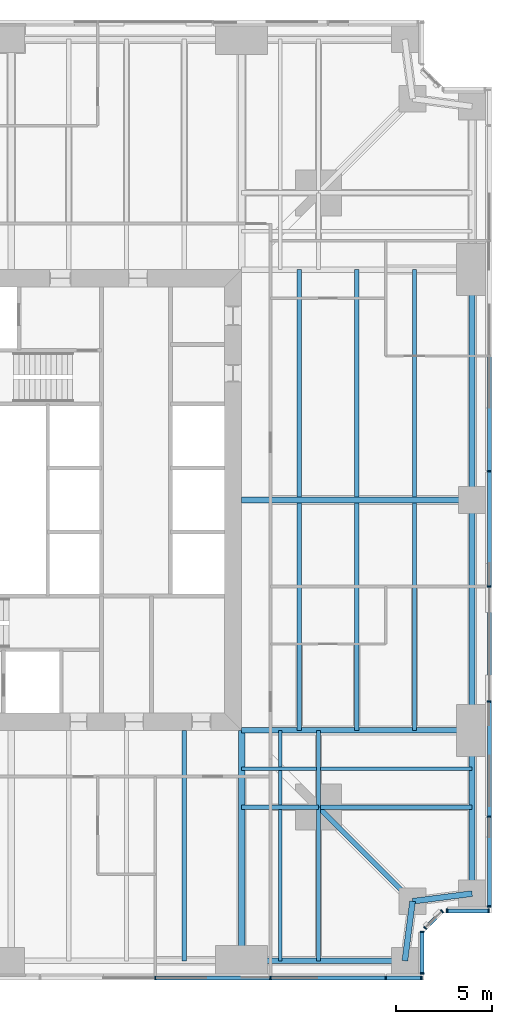
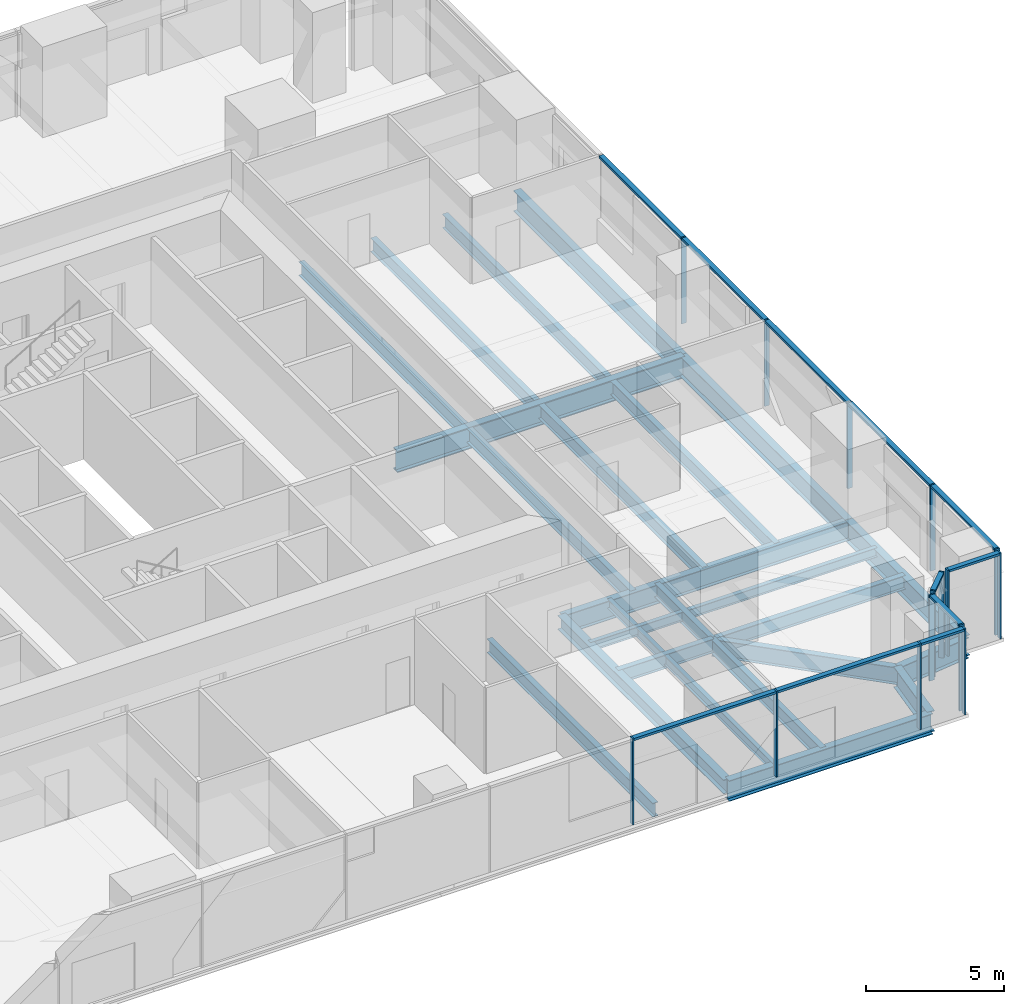
# One storey, part 5 of 14: 26 beams, 26 members, 5 elements without a shape of their own.
"""IFC4 building model written with IfcOpenShell, lengths in metres."""

import ifcopenshell
import ifcopenshell.guid

model = None  # the IFC model being written
_history = None  # IfcOwnerHistory: only IFC2X3 demands one
_inside = {}  # id of a spatial element -> (the spatial element, [elements in it])
_under = {}  # id of a project, library or spatial element -> (it, [spatial elements below it])
_declared = {}  # id of a project -> (the project, [libraries it declares])
_typed = {}  # id of a type object -> (the type object, [elements of that type])
_made_of = {}  # id of a material, layer set ... -> (it, [elements and type objects made of it])


def new_model(schema):
    """Start an empty IFC model of exactly this schema.

    Asked for "IFC4X3", IfcOpenShell would pick the latest addendum, in which some entities
    have other attributes; the version numbers below select the first issue.
    IFC2X3 requires an IfcOwnerHistory on every rooted entity: one is made here for all.
    """
    global model, _history
    if schema == "IFC4X3":
        model = ifcopenshell.file(schema_version=(4, 3, 0, 0))
    else:
        model = ifcopenshell.file(schema=schema)
    _inside.clear()
    _under.clear()
    _declared.clear()
    _typed.clear()
    _made_of.clear()
    _history = None
    if model.schema == "IFC2X3":
        org = make("IfcOrganization", Name="unknown")
        user = make(
            "IfcPersonAndOrganization",
            ThePerson=make("IfcPerson", FamilyName="unknown"),
            TheOrganization=org,
        )
        app = make(
            "IfcApplication",
            ApplicationDeveloper=org,
            Version="unknown",
            ApplicationFullName="unknown",
            ApplicationIdentifier="unknown",
        )
        _history = make(
            "IfcOwnerHistory",
            OwningUser=user,
            OwningApplication=app,
            ChangeAction="ADDED",
            CreationDate=0,
        )
    return model


def make(cls, **values):
    """One entity of the class cls with the attributes given. An attribute that is None is left unset."""
    return model.create_entity(
        cls, **{name: value for name, value in values.items() if value is not None}
    )


def rooted(cls, **values):
    """An entity with a GlobalId (a new one), such as an element, a storey or a relation."""
    return make(cls, GlobalId=ifcopenshell.guid.new(), OwnerHistory=_history, **values)


def si_unit(unit_type, name, prefix=None):
    """IfcSIUnit, for example si_unit("LENGTHUNIT", "METRE", prefix="MILLI")."""
    return make("IfcSIUnit", UnitType=unit_type, Prefix=prefix, Name=name)


def assignment(units):
    """IfcUnitAssignment: the units of a project."""
    return None if units is None else make("IfcUnitAssignment", Units=units)


def point(xyz):
    """IfcCartesianPoint."""
    return None if xyz is None else make("IfcCartesianPoint", Coordinates=xyz)


def direction(xyz):
    """IfcDirection."""
    return None if xyz is None else make("IfcDirection", DirectionRatios=xyz)


def frame(location, z_axis=None, x_axis=None):
    """IfcAxis2Placement3D, a coordinate frame: its origin and axes. An axis left out is left unset."""
    return make(
        "IfcAxis2Placement3D",
        Location=point(location),
        Axis=direction(z_axis),
        RefDirection=direction(x_axis),
    )


def frame_2d(location, x_axis=None):
    """IfcAxis2Placement2D, a coordinate frame in the plane: its origin and x axis."""
    return make(
        "IfcAxis2Placement2D", Location=point(location), RefDirection=direction(x_axis)
    )


def origin():
    """The frame at (0, 0, 0) with its axes left unset."""
    return frame((0.0, 0.0, 0.0))


def origin_2d():
    """The frame at (0, 0) in the plane with its x axis left unset."""
    return frame_2d((0.0, 0.0))


def place(relative_to, where):
    """IfcLocalPlacement: puts the frame where relative to a parent placement (None: the world)."""
    return make(
        "IfcLocalPlacement", PlacementRelTo=relative_to, RelativePlacement=where
    )


def context(
    kind, dimensions, precision=None, world=None, true_north=None, identifier=None
):
    """IfcGeometricRepresentationContext, for example the 3D "Model" context."""
    return make(
        "IfcGeometricRepresentationContext",
        ContextIdentifier=identifier,
        ContextType=kind,
        CoordinateSpaceDimension=dimensions,
        Precision=precision,
        WorldCoordinateSystem=world,
        TrueNorth=true_north,
    )


def subcontext(parent, identifier, kind, view, scale=None):
    """IfcGeometricRepresentationSubContext, for example "Body" below "Model"."""
    return make(
        "IfcGeometricRepresentationSubContext",
        ContextIdentifier=identifier,
        ContextType=kind,
        ParentContext=parent,
        TargetScale=scale,
        TargetView=view,
    )


def project(units=None, contexts=None):
    """IfcProject with its units and contexts."""
    return rooted(
        "IfcProject",
        Name="project",
        RepresentationContexts=contexts,
        UnitsInContext=assignment(units),
    )


def spatial(cls, under=None, at=None, **own):
    """A site, building, storey or space (cls), placed at a placement, below another one or the project."""
    s = rooted(cls, ObjectPlacement=at, **own)
    if under is not None:
        _under.setdefault(under.id(), (under, []))[1].append(s)
    return s


def profile(cls, at=None, kind="AREA", **sizes):
    """A parametric profile (cls). Its sizes go by their IFC names, for example OverallWidth=200.0."""
    return make(cls, ProfileType=kind, Position=at, **sizes)


def rectangle(**sizes):
    """IfcRectangleProfileDef."""
    return profile("IfcRectangleProfileDef", **sizes)


def i_section(**sizes):
    """IfcIShapeProfileDef."""
    return profile("IfcIShapeProfileDef", **sizes)


def extrude(swept, where, along, depth):
    """IfcExtrudedAreaSolid: the profile swept, set in the frame where, extruded along a direction by depth."""
    return make(
        "IfcExtrudedAreaSolid",
        SweptArea=swept,
        Position=where,
        ExtrudedDirection=direction(along),
        Depth=depth,
    )


def shape(context_of_items, identifier, shape_type, items):
    """IfcShapeRepresentation: the items that make up one representation, for example the "Body"."""
    return make(
        "IfcShapeRepresentation",
        ContextOfItems=context_of_items,
        RepresentationIdentifier=identifier,
        RepresentationType=shape_type,
        Items=items,
    )


def material(Name=None, Category=None):
    """IfcMaterial."""
    return make("IfcMaterial", Name=Name, Category=Category)


def material_profile(
    of_material, cross_section, Name=None, Category=None, Priority=None
):
    """IfcMaterialProfile: a cross section and its material."""
    return make(
        "IfcMaterialProfile",
        Name=Name,
        Material=of_material,
        Profile=cross_section,
        Priority=Priority,
        Category=Category,
    )


def profile_set(profiles, Name=None, composite=None):
    """IfcMaterialProfileSet."""
    return make(
        "IfcMaterialProfileSet",
        Name=Name,
        MaterialProfiles=profiles,
        CompositeProfile=composite,
    )


def made_of(thing, what):
    """Note that an element or type object is made of a material, layer set ...; save() writes the relation."""
    if what is not None:
        _made_of.setdefault(what.id(), (what, []))[1].append(thing)
    return thing


def type_object(cls, material=None, **own):
    """A type object (cls), such as IfcWallType, which elements share."""
    return made_of(rooted(cls, **own), material)


def element(
    cls,
    number,
    at=None,
    inside=None,
    cuts=None,
    type_object=None,
    material=None,
    context=None,
    identifier="Body",
    shape_type=None,
    held_by="IfcProductDefinitionShape",
    body=None,
    shapes=None,
    **own,
):
    """One element of the class cls, such as IfcWall. Its Tag is "e" and its number.

    at: its placement. inside: the storey or other place that contains it. cuts: it is an
    opening in that element (IfcRelVoidsElement). A single representation is given by context,
    identifier, shape_type and body (its items); several are given by shapes. held_by: the class
    of the entity that holds the representations. save() writes the other relations.
    """
    e = rooted(cls, Tag="e%d" % number, ObjectPlacement=at, **own)
    if body is not None:
        shapes = [shape(context, identifier, shape_type, body)]
    if shapes is not None:
        e.Representation = make(held_by, Representations=shapes)
    if inside is not None:
        _inside.setdefault(inside.id(), (inside, []))[1].append(e)
    if cuts is not None:
        rooted(
            "IfcRelVoidsElement", RelatingBuildingElement=cuts, RelatedOpeningElement=e
        )
    if type_object is not None:
        _typed.setdefault(type_object.id(), (type_object, []))[1].append(e)
    return made_of(e, material)


def aggregate(whole, parts):
    """IfcRelAggregates: a whole, such as a stair, and the parts it consists of."""
    return rooted("IfcRelAggregates", RelatingObject=whole, RelatedObjects=parts)


def save(model, path):
    """Write the relations noted so far, then the file.

    IfcRelAggregates (storeys below a building ...), IfcRelContainedInSpatialStructure (elements
    in a storey), IfcRelDefinesByType, IfcRelAssociatesMaterial and IfcRelDeclares: one each for
    every whole, place, type object, material and project.
    """
    for whole, parts in _under.values():
        aggregate(whole, parts)
    for where, things in _inside.values():
        rooted(
            "IfcRelContainedInSpatialStructure",
            RelatedElements=things,
            RelatingStructure=where,
        )
    for kind, things in _typed.values():
        rooted("IfcRelDefinesByType", RelatedObjects=things, RelatingType=kind)
    for what, things in _made_of.values():
        rooted("IfcRelAssociatesMaterial", RelatedObjects=things, RelatingMaterial=what)
    for by, libraries in _declared.values():
        rooted("IfcRelDeclares", RelatingContext=by, RelatedDefinitions=libraries)
    model.write(path)


model = new_model("IFC4")

# Units and contexts
model_context = context("Model", 3, precision=1e-05, world=origin(), true_north=direction((0.0, 1.0)))
body_context = subcontext(model_context, "Body", "Model", "MODEL_VIEW")
ifc_project = project(units=[si_unit("LENGTHUNIT", "METRE"), si_unit("AREAUNIT", "SQUARE_METRE"), si_unit("VOLUMEUNIT", "CUBIC_METRE"), si_unit("PLANEANGLEUNIT", "RADIAN"), si_unit("MASSUNIT", "GRAM", prefix="KILO")], contexts=[model_context])

# Site, building, storey
site_placement = place(None, origin())
site = spatial("IfcSite", under=ifc_project, at=site_placement, CompositionType="ELEMENT")
building_placement = place(site_placement, origin())
building = spatial("IfcBuilding", under=site, at=building_placement, Name="Fenwick Lantern Interchange", CompositionType="ELEMENT")
storey_placement = place(building_placement, frame((0.0, 0.0, 87.0)))
storey = spatial("IfcBuildingStorey", under=building, at=storey_placement, Name="L20", CompositionType="ELEMENT", Elevation=87.0)

# Beams
ifc_material_1 = material(Name="Steel ASTM A992 Grade 50", Category="steel")
ifc_material_profile_1 = material_profile(ifc_material_1, i_section(OverallWidth=0.3046875, OverallDepth=0.911865234375, WebThickness=0.015869140625, FlangeThickness=0.02392578125, at=origin_2d()), Name="W36X150")
ifc_profile_set_1 = profile_set([ifc_material_profile_1], Name="Steel ASTM A992 Grade 50")
beam_type_1 = type_object("IfcBeamType", Name="EDGE BEAM W36X150", PredefinedType="SPANDREL", material=ifc_profile_set_1)
beam_1_placement = place(storey_placement, frame((37.0, 1.0, -0.60595703125), z_axis=(1.0, 0.0, 0.0), x_axis=(0.0, 1.0, 0.0)))
element("IfcBeam", 1, at=beam_1_placement, inside=storey, type_object=beam_type_1, Name="L20/FR/S/EB4", PredefinedType="SPANDREL", context=body_context, shape_type="SweptSolid", body=[
    extrude(i_section(OverallWidth=0.3046875, OverallDepth=0.911865234375, WebThickness=0.015869140625, FlangeThickness=0.02392578125, at=origin_2d()), origin(), (0.0, 0.0, 1.0), 8.5),
])
for number, where, z_axis, x_axis, name in (
    (2, (45.5, 1.0, -0.60595703125), (0.127936641807, 0.991782342897, 0.0), (-0.991782342897, 0.127936641807, 0.0), "L20/FR/S/EBR1"),
    (3, (45.89990234375, 4.10009765625, -0.60595703125), (0.991782342897, 0.127936641807, 0.0), (-0.127936641807, 0.991782342897, 0.0), "L20/FR/S/EBR2"),
):
    element("IfcBeam", number, at=place(storey_placement, frame(where, z_axis=z_axis, x_axis=x_axis)), inside=storey, type_object=beam_type_1, Name=name, PredefinedType="SPANDREL", context=body_context, shape_type="SweptSolid", body=[
        extrude(i_section(OverallWidth=0.3046875, OverallDepth=0.911865234375, WebThickness=0.015869140625, FlangeThickness=0.02392578125, at=origin_2d()), origin(), (0.0, 0.0, 1.0), 3.125732421875),
    ])
beam_2_placement = place(storey_placement, frame((49.0, 4.5, -0.60595703125), z_axis=(0.0, 1.0, 0.0), x_axis=(-1.0, 0.0, 0.0)))
element("IfcBeam", 4, at=beam_2_placement, inside=storey, type_object=beam_type_1, Name="L20/FR/E/EB1", PredefinedType="SPANDREL", context=body_context, shape_type="SweptSolid", body=[
    extrude(i_section(OverallWidth=0.3046875, OverallDepth=0.911865234375, WebThickness=0.015869140625, FlangeThickness=0.02392578125, at=origin_2d()), origin(), (0.0, 0.0, 1.0), 8.5),
])
for number, where, z_axis, x_axis, name in (
    (5, (49.0, 13.0, -0.60595703125), (0.0, 1.0, 0.0), (-1.0, 0.0, 0.0), "L20/FR/E/EB2"),
    (6, (49.0, 25.0, -0.60595703125), (0.0, 1.0, 0.0), (-1.0, 0.0, 0.0), "L20/FR/E/EB3"),
):
    element("IfcBeam", number, at=place(storey_placement, frame(where, z_axis=z_axis, x_axis=x_axis)), inside=storey, type_object=beam_type_1, Name=name, PredefinedType="SPANDREL", context=body_context, shape_type="SweptSolid", body=[
        extrude(i_section(OverallWidth=0.3046875, OverallDepth=0.911865234375, WebThickness=0.015869140625, FlangeThickness=0.02392578125, at=origin_2d()), origin(), (0.0, 0.0, 1.0), 12.0),
    ])
ifc_material_profile_2 = material_profile(ifc_material_1, i_section(OverallWidth=0.22900390625, OverallDepth=0.612060546875, WebThickness=0.011962890625, FlangeThickness=0.01953125, at=origin_2d()), Name="W24X84")
ifc_profile_set_2 = profile_set([ifc_material_profile_2], Name="Steel ASTM A992 Grade 50")
beam_type_2 = type_object("IfcBeamType", Name="FLOOR BEAM W24X84", PredefinedType="BEAM", material=ifc_profile_set_2)
beam_3_placement = place(storey_placement, frame((34.0, 1.0, -0.4560546875), z_axis=(0.0, 1.0, 0.0), x_axis=(-1.0, 0.0, 0.0)))
element("IfcBeam", 7, at=beam_3_placement, inside=storey, type_object=beam_type_2, Name="L20/FR/S/R08", PredefinedType="BEAM", context=body_context, shape_type="SweptSolid", body=[
    extrude(i_section(OverallWidth=0.22900390625, OverallDepth=0.612060546875, WebThickness=0.011962890625, FlangeThickness=0.01953125, at=origin_2d()), origin(), (0.0, 0.0, 1.0), 12.0),
])
for number, where, z_axis, x_axis, name in (
    (8, (46.0, 13.0, -0.4560546875), (0.0, 1.0, 0.0), (-1.0, 0.0, 0.0), "L20/FR/E/B01"),
    (9, (43.0, 13.0, -0.4560546875), (0.0, 1.0, 0.0), (-1.0, 0.0, 0.0), "L20/FR/E/B02"),
    (10, (40.0, 13.0, -0.4560546875), (0.0, 1.0, 0.0), (-1.0, 0.0, 0.0), "L20/FR/E/B03"),
    (11, (46.0, 25.155029296875, -0.4560546875), (0.0, 1.0, 0.0), (-1.0, 0.0, 0.0), "L20/FR/E/B04"),
    (12, (43.0, 25.155029296875, -0.4560546875), (0.0, 1.0, 0.0), (-1.0, 0.0, 0.0), "L20/FR/E/B05"),
    (13, (40.0, 25.155029296875, -0.4560546875), (0.0, 1.0, 0.0), (-1.0, 0.0, 0.0), "L20/FR/E/B06"),
):
    element("IfcBeam", number, at=place(storey_placement, frame(where, z_axis=z_axis, x_axis=x_axis)), inside=storey, type_object=beam_type_2, Name=name, PredefinedType="BEAM", context=body_context, shape_type="SweptSolid", body=[
        extrude(i_section(OverallWidth=0.22900390625, OverallDepth=0.612060546875, WebThickness=0.011962890625, FlangeThickness=0.01953125, at=origin_2d()), origin(), (0.0, 0.0, 1.0), 11.844970703125),
    ])
ifc_material_profile_3 = material_profile(ifc_material_1, i_section(OverallWidth=0.177734375, OverallDepth=0.406494140625, WebThickness=0.0078125, FlangeThickness=0.012939453125, at=origin_2d()), Name="W16X40")
ifc_profile_set_3 = profile_set([ifc_material_profile_3], Name="Steel ASTM A992 Grade 50")
beam_type_3 = type_object("IfcBeamType", Name="INFILL BEAM W16X40", PredefinedType="JOIST", material=ifc_profile_set_3)
beam_4_placement = place(storey_placement, frame((49.0, 11.0, -0.353271484375), z_axis=(-1.0, 0.0, 0.0), x_axis=(0.0, -1.0, 0.0)))
element("IfcBeam", 14, at=beam_4_placement, inside=storey, type_object=beam_type_3, Name="L20/FR/E/J1", PredefinedType="JOIST", context=body_context, shape_type="SweptSolid", body=[
    extrude(i_section(OverallWidth=0.177734375, OverallDepth=0.406494140625, WebThickness=0.0078125, FlangeThickness=0.012939453125, at=origin_2d()), origin(), (0.0, 0.0, 1.0), 7.885498046875),
])
beam_5_placement = place(storey_placement, frame((40.885498046875, 11.0, -0.353271484375), z_axis=(-1.0, 0.0, 0.0), x_axis=(0.0, -1.0, 0.0)))
element("IfcBeam", 15, at=beam_5_placement, inside=storey, type_object=beam_type_3, Name="L20/FR/E/J2", PredefinedType="JOIST", context=body_context, shape_type="SweptSolid", body=[
    extrude(i_section(OverallWidth=0.177734375, OverallDepth=0.406494140625, WebThickness=0.0078125, FlangeThickness=0.012939453125, at=origin_2d()), origin(), (0.0, 0.0, 1.0), 3.885498046875),
])
beam_6_placement = place(storey_placement, frame((39.0, 1.0, -0.353271484375), z_axis=(0.0, 1.0, 0.0), x_axis=(-1.0, 0.0, 0.0)))
element("IfcBeam", 16, at=beam_6_placement, inside=storey, type_object=beam_type_3, Name="L20/FR/E/J3", PredefinedType="JOIST", context=body_context, shape_type="SweptSolid", body=[
    extrude(i_section(OverallWidth=0.177734375, OverallDepth=0.406494140625, WebThickness=0.0078125, FlangeThickness=0.012939453125, at=origin_2d()), origin(), (0.0, 0.0, 1.0), 7.885498046875),
])
beam_7_placement = place(storey_placement, frame((39.0, 9.114501953125, -0.353271484375), z_axis=(0.0, 1.0, 0.0), x_axis=(-1.0, 0.0, 0.0)))
element("IfcBeam", 17, at=beam_7_placement, inside=storey, type_object=beam_type_3, Name="L20/FR/E/J4", PredefinedType="JOIST", context=body_context, shape_type="SweptSolid", body=[
    extrude(i_section(OverallWidth=0.177734375, OverallDepth=0.406494140625, WebThickness=0.0078125, FlangeThickness=0.012939453125, at=origin_2d()), origin(), (0.0, 0.0, 1.0), 1.796630859375),
])
beam_8_placement = place(storey_placement, frame((39.0, 11.0888671875, -0.353271484375), z_axis=(0.0, 1.0, 0.0), x_axis=(-1.0, 0.0, 0.0)))
element("IfcBeam", 18, at=beam_8_placement, inside=storey, type_object=beam_type_3, Name="L20/FR/E/J5", PredefinedType="JOIST", context=body_context, shape_type="SweptSolid", body=[
    extrude(i_section(OverallWidth=0.177734375, OverallDepth=0.406494140625, WebThickness=0.0078125, FlangeThickness=0.012939453125, at=origin_2d()), origin(), (0.0, 0.0, 1.0), 1.9111328125),
])
ifc_material_profile_4 = material_profile(ifc_material_1, i_section(OverallWidth=0.22900390625, OverallDepth=0.612060546875, WebThickness=0.011962890625, FlangeThickness=0.01953125, at=origin_2d()), Name="W24X84")
ifc_profile_set_4 = profile_set([ifc_material_profile_4], Name="Steel ASTM A992 Grade 50")
beam_type_4 = type_object("IfcBeamType", Name="MEGA COLUMN BEAM W24X84", PredefinedType="BEAM", material=ifc_profile_set_4)
for number, where, z_axis, x_axis, name in (
    (19, (41.0, 9.0, -0.4560546875), (1.0, 0.0, 0.0), (0.0, 1.0, 0.0), "L20/FR/E/MB1"),
    (20, (41.0, 9.0, -0.4560546875), (0.0, -1.0, 0.0), (1.0, 0.0, 0.0), "L20/FR/E/MB2"),
):
    element("IfcBeam", number, at=place(storey_placement, frame(where, z_axis=z_axis, x_axis=x_axis)), inside=storey, type_object=beam_type_4, Name=name, PredefinedType="BEAM", context=body_context, shape_type="SweptSolid", body=[
        extrude(i_section(OverallWidth=0.22900390625, OverallDepth=0.612060546875, WebThickness=0.011962890625, FlangeThickness=0.01953125, at=origin_2d()), origin(), (0.0, 0.0, 1.0), 8.0),
    ])
for number, where, z_axis, x_axis, name in (
    (21, (41.0, 9.0, -0.4560546875), (0.0, 1.0, 0.0), (-1.0, 0.0, 0.0), "L20/FR/E/MB3"),
    (22, (41.0, 9.0, -0.4560546875), (-1.0, 0.0, 0.0), (0.0, -1.0, 0.0), "L20/FR/E/MB4"),
):
    element("IfcBeam", number, at=place(storey_placement, frame(where, z_axis=z_axis, x_axis=x_axis)), inside=storey, type_object=beam_type_4, Name=name, PredefinedType="BEAM", context=body_context, shape_type="SweptSolid", body=[
        extrude(i_section(OverallWidth=0.22900390625, OverallDepth=0.612060546875, WebThickness=0.011962890625, FlangeThickness=0.01953125, at=origin_2d()), origin(), (0.0, 0.0, 1.0), 4.0),
    ])
ifc_material_profile_5 = material_profile(ifc_material_1, i_section(OverallWidth=0.32763671875, OverallDepth=0.622314453125, WebThickness=0.015380859375, FlangeThickness=0.0244140625, at=origin_2d()), Name="W24X131")
ifc_profile_set_5 = profile_set([ifc_material_profile_5], Name="Steel ASTM A992 Grade 50")
beam_type_5 = type_object("IfcBeamType", Name="MOMENT-CONNECTED GIRDER W24X131", PredefinedType="BEAM", material=ifc_profile_set_5)
beam_9_placement = place(storey_placement, frame((37.0, 1.0, -0.461181640625), z_axis=(0.0, 1.0, 0.0), x_axis=(-1.0, 0.0, 0.0)))
element("IfcBeam", 23, at=beam_9_placement, inside=storey, type_object=beam_type_5, Name="L20/FR/S/R09", PredefinedType="BEAM", context=body_context, shape_type="SweptSolid", body=[
    extrude(i_section(OverallWidth=0.32763671875, OverallDepth=0.622314453125, WebThickness=0.015380859375, FlangeThickness=0.0244140625, at=origin_2d()), origin(), (0.0, 0.0, 1.0), 12.0),
])
ifc_material_profile_6 = material_profile(ifc_material_1, i_section(OverallWidth=0.2919921875, OverallDepth=0.845703125, WebThickness=0.015380859375, FlangeThickness=0.0244140625, at=origin_2d()), Name="W33X141")
ifc_profile_set_6 = profile_set([ifc_material_profile_6], Name="Steel ASTM A992 Grade 50")
beam_type_6 = type_object("IfcBeamType", Name="MOMENT-CONNECTED GIRDER W33X141", PredefinedType="BEAM", material=ifc_profile_set_6)
beam_10_placement = place(storey_placement, frame((49.0, 13.0, -0.572998046875), z_axis=(-1.0, 0.0, 0.0), x_axis=(0.0, -1.0, 0.0)))
element("IfcBeam", 24, at=beam_10_placement, inside=storey, type_object=beam_type_6, Name="L20/FR/E/R01", PredefinedType="BEAM", context=body_context, shape_type="SweptSolid", body=[
    extrude(i_section(OverallWidth=0.2919921875, OverallDepth=0.845703125, WebThickness=0.015380859375, FlangeThickness=0.0244140625, at=origin_2d()), origin(), (0.0, 0.0, 1.0), 12.0),
])
ifc_material_profile_7 = material_profile(ifc_material_1, i_section(OverallWidth=0.309814453125, OverallDepth=0.949951171875, WebThickness=0.0244140625, FlangeThickness=0.0439453125, at=origin_2d()), Name="W36X256")
ifc_profile_set_7 = profile_set([ifc_material_profile_7], Name="Steel ASTM A992 Grade 50")
beam_type_7 = type_object("IfcBeamType", Name="MOMENT-CONNECTED GIRDER W36X256", PredefinedType="BEAM", material=ifc_profile_set_7)
beam_11_placement = place(storey_placement, frame((49.0, 25.0, -0.625), z_axis=(-1.0, 0.0, 0.0), x_axis=(0.0, -1.0, 0.0)))
element("IfcBeam", 25, at=beam_11_placement, inside=storey, type_object=beam_type_7, Name="L20/FR/E/R02", PredefinedType="BEAM", context=body_context, shape_type="SweptSolid", body=[
    extrude(i_section(OverallWidth=0.309814453125, OverallDepth=0.949951171875, WebThickness=0.0244140625, FlangeThickness=0.0439453125, at=origin_2d()), origin(), (0.0, 0.0, 1.0), 12.0),
])
ifc_material_profile_8 = material_profile(ifc_material_1, i_section(OverallWidth=0.2666015625, OverallDepth=0.7568359375, WebThickness=0.013916015625, FlangeThickness=0.019287109375, at=origin_2d()), Name="W30X108")
ifc_profile_set_8 = profile_set([ifc_material_profile_8], Name="Steel ASTM A992 Grade 50")
beam_type_8 = type_object("IfcBeamType", Name="NOTCH BEAM W30X108", PredefinedType="BEAM", material=ifc_profile_set_8)
beam_12_placement = place(storey_placement, frame((41.0, 9.0, -0.528564453125), z_axis=(0.707106781187, -0.707106781187, 0.0), x_axis=(0.707106781187, 0.707106781187, 0.0)))
element("IfcBeam", 26, at=beam_12_placement, inside=storey, type_object=beam_type_8, Name="L20/FR/E/TG", PredefinedType="BEAM", context=body_context, shape_type="SweptSolid", body=[
    extrude(i_section(OverallWidth=0.2666015625, OverallDepth=0.7568359375, WebThickness=0.013916015625, FlangeThickness=0.019287109375, at=origin_2d()), origin(), (0.0, 0.0, 1.0), 6.929443359375),
])

# Curtain wall, members
ifc_material_2 = material(Name="Aluminium curtain wall frame", Category="aluminium")
curtain_wall_type = type_object("IfcCurtainWallType", Name="OFFICE CURTAIN WALL", PredefinedType="USERDEFINED", material=ifc_material_2)
curtain_wall_1_placement = place(storey_placement, origin())
curtain_wall_1 = element("IfcCurtainWall", 27, at=curtain_wall_1_placement, inside=storey, type_object=curtain_wall_type, Name="Office curtain wall 01", ObjectType="OFFICE CURTAIN WALL", PredefinedType="USERDEFINED")
ifc_material_3 = material(Name="Aluminium extrusion", Category="aluminium")
ifc_material_profile_9 = material_profile(ifc_material_3, rectangle(XDim=0.199951171875, YDim=0.06494140625, at=origin_2d()), Name="OFFICE CURTAIN WALL MULLION 65 X 200")
ifc_profile_set_9 = profile_set([ifc_material_profile_9], Name="Aluminium extrusion")
member_type_1 = type_object("IfcMemberType", Name="OFFICE CURTAIN WALL MULLION 65 X 200", PredefinedType="MULLION", material=ifc_profile_set_9)
member_1_placement = place(storey_placement, frame((32.5, 0.10009765625, 0.0), z_axis=(0.0, 0.0, 1.0), x_axis=(0.0, 1.0, 0.0)))
member_1 = element("IfcMember", 28, at=member_1_placement, type_object=member_type_1, Name="L20/CW/01/M05", PredefinedType="MULLION", context=body_context, shape_type="SweptSolid", body=[
    extrude(rectangle(XDim=0.199951171875, YDim=0.06494140625, at=origin_2d()), origin(), (0.0, 0.0, 1.0), 3.800048828125),
])
member_2_placement = place(storey_placement, frame((38.5, 0.10009765625, 0.0), z_axis=(0.0, 0.0, 1.0), x_axis=(0.0, 1.0, 0.0)))
member_2 = element("IfcMember", 29, at=member_2_placement, type_object=member_type_1, Name="L20/CW/01/M06", PredefinedType="MULLION", context=body_context, shape_type="SweptSolid", body=[
    extrude(rectangle(XDim=0.199951171875, YDim=0.06494140625, at=origin_2d()), origin(), (0.0, 0.0, 1.0), 3.800048828125),
])
member_3_placement = place(storey_placement, frame((44.5, 0.10009765625, 0.0), z_axis=(0.0, 0.0, 1.0), x_axis=(0.0, 1.0, 0.0)))
member_3 = element("IfcMember", 30, at=member_3_placement, type_object=member_type_1, Name="L20/CW/01/M07", PredefinedType="MULLION", context=body_context, shape_type="SweptSolid", body=[
    extrude(rectangle(XDim=0.199951171875, YDim=0.06494140625, at=origin_2d()), origin(), (0.0, 0.0, 1.0), 3.800048828125),
])
member_4_placement = place(storey_placement, frame((46.367431640625, 0.10009765625, 0.0), z_axis=(0.0, 0.0, 1.0), x_axis=(0.0, 1.0, 0.0)))
member_4 = element("IfcMember", 31, at=member_4_placement, type_object=member_type_1, Name="L20/CW/01/M08", PredefinedType="MULLION", context=body_context, shape_type="SweptSolid", body=[
    extrude(rectangle(XDim=0.199951171875, YDim=0.06494140625, at=origin_2d()), origin(), (0.0, 0.0, 1.0), 3.800048828125),
])

curtain_wall_2_placement = place(storey_placement, origin())
curtain_wall_2 = element("IfcCurtainWall", 32, at=curtain_wall_2_placement, inside=storey, type_object=curtain_wall_type, Name="Office curtain wall 02", ObjectType="OFFICE CURTAIN WALL", PredefinedType="USERDEFINED")
member_5_placement = place(storey_placement, frame((46.39990234375, 0.33251953125, 0.0), z_axis=(0.0, 0.0, 1.0), x_axis=(-1.0, 0.0, 0.0)))
member_5 = element("IfcMember", 33, at=member_5_placement, type_object=member_type_1, Name="L20/CW/02/M00", PredefinedType="MULLION", context=body_context, shape_type="SweptSolid", body=[
    extrude(rectangle(XDim=0.199951171875, YDim=0.06494140625, at=origin_2d()), origin(), (0.0, 0.0, 1.0), 3.800048828125),
])
member_6_placement = place(storey_placement, frame((46.39990234375, 2.509033203125, 0.0), z_axis=(0.0, 0.0, 1.0), x_axis=(-1.0, 0.0, 0.0)))
member_6 = element("IfcMember", 34, at=member_6_placement, type_object=member_type_1, Name="L20/CW/02/M01", PredefinedType="MULLION", context=body_context, shape_type="SweptSolid", body=[
    extrude(rectangle(XDim=0.199951171875, YDim=0.06494140625, at=origin_2d()), origin(), (0.0, 0.0, 1.0), 3.800048828125),
])

curtain_wall_3_placement = place(storey_placement, origin())
curtain_wall_3 = element("IfcCurtainWall", 35, at=curtain_wall_3_placement, inside=storey, type_object=curtain_wall_type, Name="Office curtain wall 03", ObjectType="OFFICE CURTAIN WALL", PredefinedType="USERDEFINED")
member_7_placement = place(storey_placement, frame((46.564453125, 2.705810546875, 0.0), z_axis=(0.0, 0.0, 1.0), x_axis=(-0.707106781187, 0.707106781187, 0.0)))
member_7 = element("IfcMember", 36, at=member_7_placement, type_object=member_type_1, Name="L20/CW/03/M00", PredefinedType="MULLION", context=body_context, shape_type="SweptSolid", body=[
    extrude(rectangle(XDim=0.199951171875, YDim=0.06494140625, at=origin_2d()), origin(), (0.0, 0.0, 1.0), 3.800048828125),
])
member_8_placement = place(storey_placement, frame((47.435546875, 3.576904296875, 0.0), z_axis=(0.0, 0.0, 1.0), x_axis=(-0.707106781187, 0.707106781187, 0.0)))
member_8 = element("IfcMember", 37, at=member_8_placement, type_object=member_type_1, Name="L20/CW/03/M01", PredefinedType="MULLION", context=body_context, shape_type="SweptSolid", body=[
    extrude(rectangle(XDim=0.199951171875, YDim=0.06494140625, at=origin_2d()), origin(), (0.0, 0.0, 1.0), 3.800048828125),
])

curtain_wall_4_placement = place(storey_placement, origin())
curtain_wall_4 = element("IfcCurtainWall", 38, at=curtain_wall_4_placement, inside=storey, type_object=curtain_wall_type, Name="Office curtain wall 04", ObjectType="OFFICE CURTAIN WALL", PredefinedType="USERDEFINED")
member_9_placement = place(storey_placement, frame((47.691162109375, 3.60009765625, 0.0), z_axis=(0.0, 0.0, 1.0), x_axis=(0.0, 1.0, 0.0)))
member_9 = element("IfcMember", 39, at=member_9_placement, type_object=member_type_1, Name="L20/CW/04/M00", PredefinedType="MULLION", context=body_context, shape_type="SweptSolid", body=[
    extrude(rectangle(XDim=0.199951171875, YDim=0.06494140625, at=origin_2d()), origin(), (0.0, 0.0, 1.0), 3.800048828125),
])
member_10_placement = place(storey_placement, frame((49.867431640625, 3.60009765625, 0.0), z_axis=(0.0, 0.0, 1.0), x_axis=(0.0, 1.0, 0.0)))
member_10 = element("IfcMember", 40, at=member_10_placement, type_object=member_type_1, Name="L20/CW/04/M01", PredefinedType="MULLION", context=body_context, shape_type="SweptSolid", body=[
    extrude(rectangle(XDim=0.199951171875, YDim=0.06494140625, at=origin_2d()), origin(), (0.0, 0.0, 1.0), 3.800048828125),
])

curtain_wall_5_placement = place(storey_placement, origin())
curtain_wall_5 = element("IfcCurtainWall", 41, at=curtain_wall_5_placement, inside=storey, type_object=curtain_wall_type, Name="Office curtain wall 05", ObjectType="OFFICE CURTAIN WALL", PredefinedType="USERDEFINED")
member_11_placement = place(storey_placement, frame((49.89990234375, 3.83251953125, 0.0), z_axis=(0.0, 0.0, 1.0), x_axis=(-1.0, 0.0, 0.0)))
member_11 = element("IfcMember", 42, at=member_11_placement, type_object=member_type_1, Name="L20/CW/05/M00", PredefinedType="MULLION", context=body_context, shape_type="SweptSolid", body=[
    extrude(rectangle(XDim=0.199951171875, YDim=0.06494140625, at=origin_2d()), origin(), (0.0, 0.0, 1.0), 3.800048828125),
])
member_12_placement = place(storey_placement, frame((49.89990234375, 8.5, 0.0), z_axis=(0.0, 0.0, 1.0), x_axis=(-1.0, 0.0, 0.0)))
member_12 = element("IfcMember", 43, at=member_12_placement, type_object=member_type_1, Name="L20/CW/05/M01", PredefinedType="MULLION", context=body_context, shape_type="SweptSolid", body=[
    extrude(rectangle(XDim=0.199951171875, YDim=0.06494140625, at=origin_2d()), origin(), (0.0, 0.0, 1.0), 3.800048828125),
])
member_13_placement = place(storey_placement, frame((49.89990234375, 14.5, 0.0), z_axis=(0.0, 0.0, 1.0), x_axis=(-1.0, 0.0, 0.0)))
member_13 = element("IfcMember", 44, at=member_13_placement, type_object=member_type_1, Name="L20/CW/05/M02", PredefinedType="MULLION", context=body_context, shape_type="SweptSolid", body=[
    extrude(rectangle(XDim=0.199951171875, YDim=0.06494140625, at=origin_2d()), origin(), (0.0, 0.0, 1.0), 3.800048828125),
])
member_14_placement = place(storey_placement, frame((49.89990234375, 20.5, 0.0), z_axis=(0.0, 0.0, 1.0), x_axis=(-1.0, 0.0, 0.0)))
member_14 = element("IfcMember", 45, at=member_14_placement, type_object=member_type_1, Name="L20/CW/05/M03", PredefinedType="MULLION", context=body_context, shape_type="SweptSolid", body=[
    extrude(rectangle(XDim=0.199951171875, YDim=0.06494140625, at=origin_2d()), origin(), (0.0, 0.0, 1.0), 3.800048828125),
])
member_15_placement = place(storey_placement, frame((49.89990234375, 26.5, 0.0), z_axis=(0.0, 0.0, 1.0), x_axis=(-1.0, 0.0, 0.0)))
member_15 = element("IfcMember", 46, at=member_15_placement, type_object=member_type_1, Name="L20/CW/05/M04", PredefinedType="MULLION", context=body_context, shape_type="SweptSolid", body=[
    extrude(rectangle(XDim=0.199951171875, YDim=0.06494140625, at=origin_2d()), origin(), (0.0, 0.0, 1.0), 3.800048828125),
])

# Member
ifc_material_profile_10 = material_profile(ifc_material_3, rectangle(XDim=0.199951171875, YDim=0.10009765625, at=origin_2d()), Name="OFFICE CURTAIN WALL TRANSOM 100 X 200")
ifc_profile_set_10 = profile_set([ifc_material_profile_10], Name="Aluminium extrusion")
member_type_2 = type_object("IfcMemberType", Name="OFFICE CURTAIN WALL TRANSOM 100 X 200", PredefinedType="MULLION", material=ifc_profile_set_10)
member_16_placement = place(storey_placement, frame((32.532470703125, 0.10009765625, 3.75), z_axis=(1.0, 0.0, 0.0), x_axis=(0.0, 1.0, 0.0)))
member_16 = element("IfcMember", 47, at=member_16_placement, type_object=member_type_2, Name="L20/CW/01/T05", PredefinedType="MULLION", context=body_context, shape_type="SweptSolid", body=[
    extrude(rectangle(XDim=0.199951171875, YDim=0.10009765625, at=origin_2d()), origin(), (0.0, 0.0, 1.0), 5.93505859375),
])

member_17_placement = place(storey_placement, frame((38.532470703125, 0.10009765625, 3.75), z_axis=(1.0, 0.0, 0.0), x_axis=(0.0, 1.0, 0.0)))
member_17 = element("IfcMember", 48, at=member_17_placement, type_object=member_type_2, Name="L20/CW/01/T06", PredefinedType="MULLION", context=body_context, shape_type="SweptSolid", body=[
    extrude(rectangle(XDim=0.199951171875, YDim=0.10009765625, at=origin_2d()), origin(), (0.0, 0.0, 1.0), 5.93505859375),
])

member_18_placement = place(storey_placement, frame((44.532470703125, 0.10009765625, 3.75), z_axis=(1.0, 0.0, 0.0), x_axis=(0.0, 1.0, 0.0)))
member_18 = element("IfcMember", 49, at=member_18_placement, type_object=member_type_2, Name="L20/CW/01/T07", PredefinedType="MULLION", context=body_context, shape_type="SweptSolid", body=[
    extrude(rectangle(XDim=0.199951171875, YDim=0.10009765625, at=origin_2d()), origin(), (0.0, 0.0, 1.0), 1.802490234375),
])

aggregate(curtain_wall_1, [member_1, member_2, member_3, member_4, member_16, member_17, member_18])

member_19_placement = place(storey_placement, frame((46.39990234375, 0.364990234375, 3.75), z_axis=(0.0, 1.0, 0.0), x_axis=(-1.0, 0.0, 0.0)))
member_19 = element("IfcMember", 50, at=member_19_placement, type_object=member_type_2, Name="L20/CW/02/T00", PredefinedType="MULLION", context=body_context, shape_type="SweptSolid", body=[
    extrude(rectangle(XDim=0.199951171875, YDim=0.10009765625, at=origin_2d()), origin(), (0.0, 0.0, 1.0), 2.111328125),
])

aggregate(curtain_wall_2, [member_5, member_6, member_19])

member_20_placement = place(storey_placement, frame((46.58740234375, 2.728759765625, 3.75), z_axis=(0.707106781187, 0.707106781187, 0.0), x_axis=(-0.707106781187, 0.707106781187, 0.0)))
member_20 = element("IfcMember", 51, at=member_20_placement, type_object=member_type_2, Name="L20/CW/03/T00", PredefinedType="MULLION", context=body_context, shape_type="SweptSolid", body=[
    extrude(rectangle(XDim=0.199951171875, YDim=0.10009765625, at=origin_2d()), origin(), (0.0, 0.0, 1.0), 1.1669921875),
])

aggregate(curtain_wall_3, [member_7, member_8, member_20])

member_21_placement = place(storey_placement, frame((47.7236328125, 3.60009765625, 3.75), z_axis=(1.0, 0.0, 0.0), x_axis=(0.0, 1.0, 0.0)))
member_21 = element("IfcMember", 52, at=member_21_placement, type_object=member_type_2, Name="L20/CW/04/T00", PredefinedType="MULLION", context=body_context, shape_type="SweptSolid", body=[
    extrude(rectangle(XDim=0.199951171875, YDim=0.10009765625, at=origin_2d()), origin(), (0.0, 0.0, 1.0), 2.111328125),
])

aggregate(curtain_wall_4, [member_9, member_10, member_21])

member_22_placement = place(storey_placement, frame((49.89990234375, 3.864990234375, 3.75), z_axis=(0.0, 1.0, 0.0), x_axis=(-1.0, 0.0, 0.0)))
member_22 = element("IfcMember", 53, at=member_22_placement, type_object=member_type_2, Name="L20/CW/05/T00", PredefinedType="MULLION", context=body_context, shape_type="SweptSolid", body=[
    extrude(rectangle(XDim=0.199951171875, YDim=0.10009765625, at=origin_2d()), origin(), (0.0, 0.0, 1.0), 4.6025390625),
])

member_23_placement = place(storey_placement, frame((49.89990234375, 8.532470703125, 3.75), z_axis=(0.0, 1.0, 0.0), x_axis=(-1.0, 0.0, 0.0)))
member_23 = element("IfcMember", 54, at=member_23_placement, type_object=member_type_2, Name="L20/CW/05/T01", PredefinedType="MULLION", context=body_context, shape_type="SweptSolid", body=[
    extrude(rectangle(XDim=0.199951171875, YDim=0.10009765625, at=origin_2d()), origin(), (0.0, 0.0, 1.0), 5.93505859375),
])

member_24_placement = place(storey_placement, frame((49.89990234375, 14.532470703125, 3.75), z_axis=(0.0, 1.0, 0.0), x_axis=(-1.0, 0.0, 0.0)))
member_24 = element("IfcMember", 55, at=member_24_placement, type_object=member_type_2, Name="L20/CW/05/T02", PredefinedType="MULLION", context=body_context, shape_type="SweptSolid", body=[
    extrude(rectangle(XDim=0.199951171875, YDim=0.10009765625, at=origin_2d()), origin(), (0.0, 0.0, 1.0), 5.93505859375),
])

member_25_placement = place(storey_placement, frame((49.89990234375, 20.532470703125, 3.75), z_axis=(0.0, 1.0, 0.0), x_axis=(-1.0, 0.0, 0.0)))
member_25 = element("IfcMember", 56, at=member_25_placement, type_object=member_type_2, Name="L20/CW/05/T03", PredefinedType="MULLION", context=body_context, shape_type="SweptSolid", body=[
    extrude(rectangle(XDim=0.199951171875, YDim=0.10009765625, at=origin_2d()), origin(), (0.0, 0.0, 1.0), 5.93505859375),
])

member_26_placement = place(storey_placement, frame((49.89990234375, 26.532470703125, 3.75), z_axis=(0.0, 1.0, 0.0), x_axis=(-1.0, 0.0, 0.0)))
member_26 = element("IfcMember", 57, at=member_26_placement, type_object=member_type_2, Name="L20/CW/05/T04", PredefinedType="MULLION", context=body_context, shape_type="SweptSolid", body=[
    extrude(rectangle(XDim=0.199951171875, YDim=0.10009765625, at=origin_2d()), origin(), (0.0, 0.0, 1.0), 5.93505859375),
])

aggregate(curtain_wall_5, [member_11, member_12, member_13, member_14, member_15, member_22, member_23, member_24, member_25, member_26])

save(model, "model.ifc")
